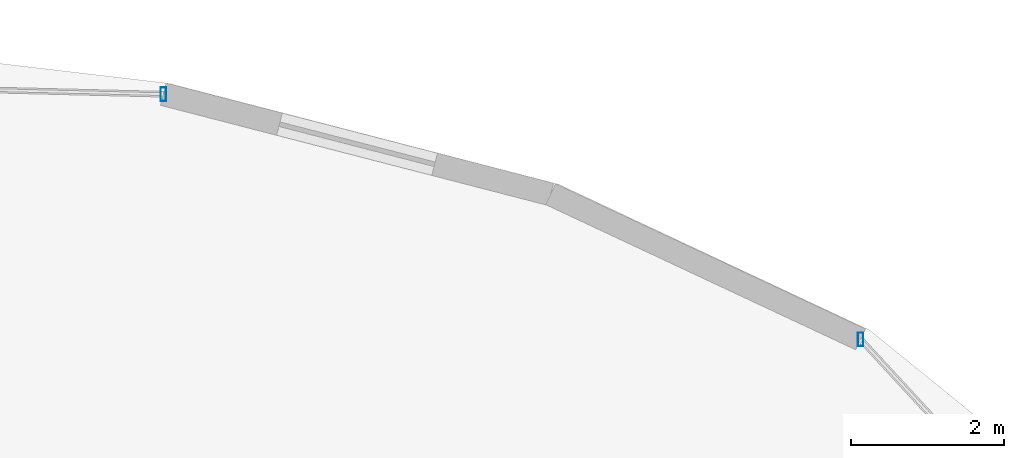
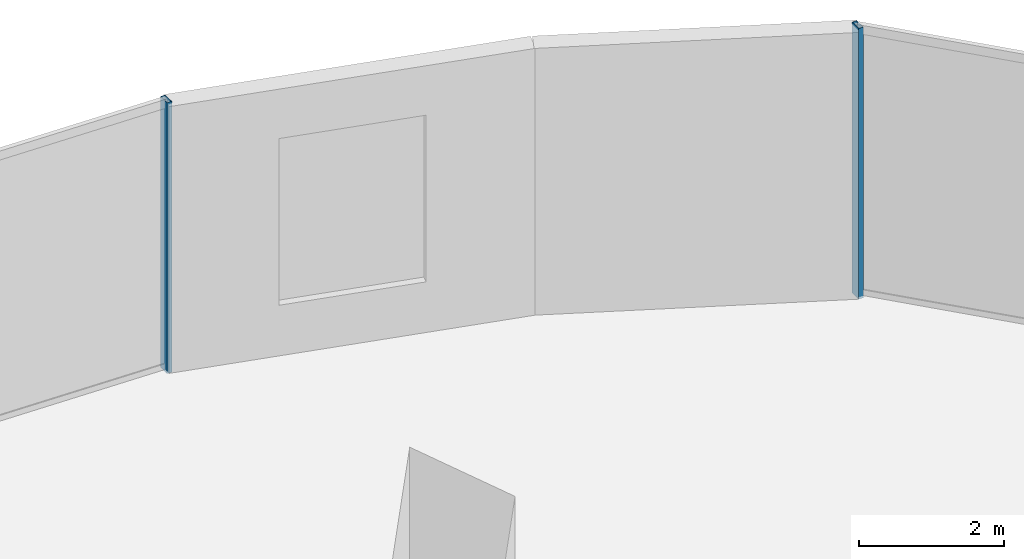
# One storey, part 17 of 27: 2 members, 2 elements without a shape of their own.
"""IFC4 building model written with IfcOpenShell, lengths in metres."""

from ifc_helpers import new_model, si_unit, direction, frame, origin, origin_2d, place, context, subcontext, project, spatial, hollow_rectangle, extrude, material, material_profile, profile_set, type_object, element, aggregate, save


model = new_model("IFC4")

# Units and contexts
model_context = context("Model", 3, precision=1e-05, world=origin(), true_north=direction((0.0, 1.0)))
body_context = subcontext(model_context, "Body", "Model", "MODEL_VIEW")
ifc_project = project(units=[si_unit("LENGTHUNIT", "METRE"), si_unit("AREAUNIT", "SQUARE_METRE"), si_unit("VOLUMEUNIT", "CUBIC_METRE"), si_unit("PLANEANGLEUNIT", "RADIAN"), si_unit("MASSUNIT", "GRAM", prefix="KILO")], contexts=[model_context])

# Site, building, storey
site_placement = place(None, origin())
site = spatial("IfcSite", under=ifc_project, at=site_placement, CompositionType="ELEMENT")
building_placement = place(site_placement, origin())
building = spatial("IfcBuilding", under=site, at=building_placement, Name="Vorneva Point Tower", CompositionType="ELEMENT")
storey_placement = place(building_placement, frame((0.0, 0.0, 4.800048828125)))
storey = spatial("IfcBuildingStorey", under=building, at=storey_placement, Name="L01", CompositionType="ELEMENT", Elevation=4.800048828125)

# Curtain wall, member
ifc_material = material(Name="Pale anodised aluminium", Category="aluminium")
curtain_wall_type = type_object("IfcCurtainWallType", Name="CW-POD-SYS", PredefinedType="NOTDEFINED", material=ifc_material)
curtain_wall_1_placement = place(storey_placement, origin())
curtain_wall_1 = element("IfcCurtainWall", 1, at=curtain_wall_1_placement, inside=storey, type_object=curtain_wall_type, Name="L01 Unitised Curtain Wall CW-L01-R01", PredefinedType="NOTDEFINED")
ifc_material_profile = material_profile(ifc_material, hollow_rectangle(XDim=0.074951171875, YDim=0.179931640625, WallThickness=0.00390625, at=origin_2d()), Name="AL-MUL 180x75x4")
ifc_profile_set = profile_set([ifc_material_profile], Name="Pale anodised aluminium")
member_type = type_object("IfcMemberType", Name="CW-MUL-180", PredefinedType="MULLION", material=ifc_profile_set)
member_1_placement = place(storey_placement, frame((66.0224609375, 44.96337890625, -0.0400390625), z_axis=(0.0, 0.0, 1.0), x_axis=(1.0, 0.0, 0.0)))
member_1 = element("IfcMember", 2, at=member_1_placement, type_object=member_type, Name="CW-L01-R01 Mullion 04", PredefinedType="MULLION", context=body_context, shape_type="SweptSolid", body=[
    extrude(hollow_rectangle(XDim=0.074951171875, YDim=0.179931640625, WallThickness=0.00390625, at=origin_2d()), origin(), (0.0, 0.0, 1.0), 4.550048828125),
])
aggregate(curtain_wall_1, [member_1])

curtain_wall_2_placement = place(storey_placement, origin())
curtain_wall_2 = element("IfcCurtainWall", 3, at=curtain_wall_2_placement, inside=storey, type_object=curtain_wall_type, Name="L01 Unitised Curtain Wall CW-L01-R02", PredefinedType="NOTDEFINED")
member_2_placement = place(storey_placement, frame((56.8896484375, 48.17529296875, -0.0400390625), z_axis=(0.0, 0.0, 1.0), x_axis=(1.0, 0.0, 0.0)))
member_2 = element("IfcMember", 4, at=member_2_placement, type_object=member_type, Name="CW-L01-R02 Mullion 01", PredefinedType="MULLION", context=body_context, shape_type="SweptSolid", body=[
    extrude(hollow_rectangle(XDim=0.074951171875, YDim=0.179931640625, WallThickness=0.00390625, at=origin_2d()), origin(), (0.0, 0.0, 1.0), 4.550048828125),
])
aggregate(curtain_wall_2, [member_2])

save(model, "model.ifc")
